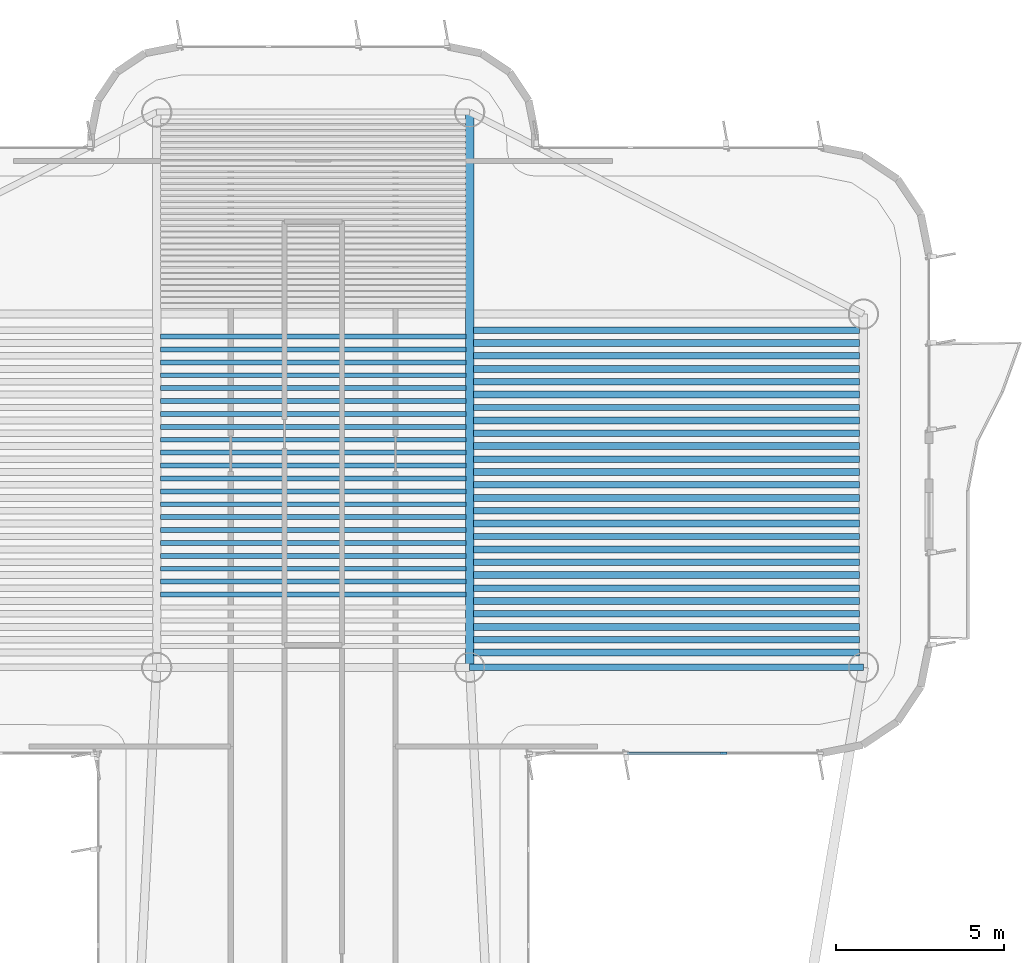
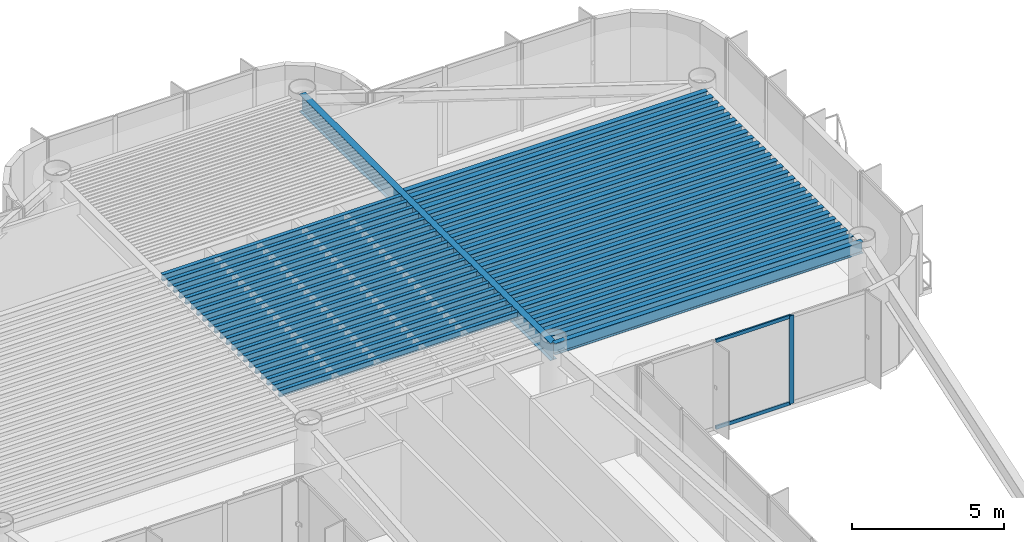
# One storey, part 6 of 14: 49 beams, 3 members, 1 element without a shape of its own.
"""IFC4 building model written with IfcOpenShell, lengths in metres."""

from ifc_helpers import new_model, si_unit, direction, frame, origin, origin_2d, place, context, subcontext, project, spatial, rectangle, i_section, extrude, source, transform, mapped, material, layer, layer_set, material_profile, profile_set, type_object, element, aggregate, save


model = new_model("IFC4")

# Units and contexts
model_context = context("Model", 3, precision=1e-05, world=origin(), true_north=direction((0.0, 1.0)))
body_context = subcontext(model_context, "Body", "Model", "MODEL_VIEW")
ifc_project = project(units=[si_unit("LENGTHUNIT", "METRE"), si_unit("AREAUNIT", "SQUARE_METRE"), si_unit("VOLUMEUNIT", "CUBIC_METRE"), si_unit("PLANEANGLEUNIT", "RADIAN"), si_unit("MASSUNIT", "GRAM", prefix="KILO")], contexts=[model_context])

# Site, building, storey
site_placement = place(None, origin())
site = spatial("IfcSite", under=ifc_project, at=site_placement, CompositionType="ELEMENT")
building_placement = place(site_placement, origin())
building = spatial("IfcBuilding", under=site, at=building_placement, Name="Brelvock Crest Care Tower", CompositionType="ELEMENT")
storey_placement = place(building_placement, frame((0.0, 0.0, 253.260009765625)))
storey = spatial("IfcBuildingStorey", under=building, at=storey_placement, Name="L64", CompositionType="ELEMENT", Elevation=253.260009765625)

# Beams
ifc_material_1 = material(Name="Steel Grade 350", Category="steel")
ifc_material_profile_1 = material_profile(ifc_material_1, i_section(OverallWidth=0.14599609375, OverallDepth=0.256103515625, WebThickness=0.00634765625, FlangeThickness=0.010986328125, FilletRadius=0.0087890625, at=origin_2d()), Name="250UB37.3")
ifc_profile_set_1 = profile_set([ifc_material_profile_1], Name="Steel Grade 350")
beam_type_1 = type_object("IfcBeamType", Name="BM-J3", PredefinedType="JOIST", material=ifc_profile_set_1)
shared_shape_1 = source(origin(), body_context, "Body", "SweptSolid", [
    extrude(i_section(OverallWidth=0.14599609375, OverallDepth=0.256103515625, WebThickness=0.00634765625, FlangeThickness=0.010986328125, FilletRadius=0.0087890625, at=origin_2d()), origin(), (0.0, 0.0, 1.0), 9.06982421875),
])
for number, where, z_axis, x_axis, name in (
    (1, (31.465087890625, 46.115478515625, 3.402099609375), (1.0, 0.0, 0.0), (0.0, 1.0, 0.0), "BM-JH-L64-5"),
    (2, (31.465087890625, 46.498779296875, 3.402099609375), (1.0, 0.0, 0.0), (0.0, 1.0, 0.0), "BM-JH-L64-6"),
    (3, (31.465087890625, 46.882080078125, 3.402099609375), (1.0, 0.0, 0.0), (0.0, 1.0, 0.0), "BM-JH-L64-7"),
    (4, (31.465087890625, 47.265380859375, 3.402099609375), (1.0, 0.0, 0.0), (0.0, 1.0, 0.0), "BM-JH-L64-8"),
    (5, (31.465087890625, 47.648681640625, 3.402099609375), (1.0, 0.0, 0.0), (0.0, 1.0, 0.0), "BM-JH-L64-9"),
    (6, (31.465087890625, 48.031982421875, 3.402099609375), (1.0, 0.0, 0.0), (0.0, 1.0, 0.0), "BM-JH-L64-10"),
    (7, (31.465087890625, 48.4150390625, 3.402099609375), (1.0, 0.0, 0.0), (0.0, 1.0, 0.0), "BM-JH-L64-11"),
    (8, (31.465087890625, 48.79833984375, 3.402099609375), (1.0, 0.0, 0.0), (0.0, 1.0, 0.0), "BM-JH-L64-12"),
    (9, (31.465087890625, 49.181640625, 3.402099609375), (1.0, 0.0, 0.0), (0.0, 1.0, 0.0), "BM-JH-L64-13"),
    (10, (31.465087890625, 49.564697265625, 3.402099609375), (1.0, 0.0, 0.0), (0.0, 1.0, 0.0), "BM-JH-L64-14"),
    (11, (31.465087890625, 49.947998046875, 3.402099609375), (1.0, 0.0, 0.0), (0.0, 1.0, 0.0), "BM-JH-L64-15"),
    (12, (31.465087890625, 50.331298828125, 3.402099609375), (1.0, 0.0, 0.0), (0.0, 1.0, 0.0), "BM-JH-L64-16"),
    (13, (31.465087890625, 50.714599609375, 3.402099609375), (1.0, 0.0, 0.0), (0.0, 1.0, 0.0), "BM-JH-L64-17"),
    (14, (31.465087890625, 51.097900390625, 3.402099609375), (1.0, 0.0, 0.0), (0.0, 1.0, 0.0), "BM-JH-L64-18"),
    (15, (31.465087890625, 51.481201171875, 3.402099609375), (1.0, 0.0, 0.0), (0.0, 1.0, 0.0), "BM-JH-L64-19"),
    (16, (31.465087890625, 51.864501953125, 3.402099609375), (1.0, 0.0, 0.0), (0.0, 1.0, 0.0), "BM-JH-L64-20"),
    (17, (31.465087890625, 52.24755859375, 3.402099609375), (1.0, 0.0, 0.0), (0.0, 1.0, 0.0), "BM-JH-L64-21"),
    (18, (31.465087890625, 52.630859375, 3.402099609375), (1.0, 0.0, 0.0), (0.0, 1.0, 0.0), "BM-JH-L64-22"),
    (19, (31.465087890625, 53.01416015625, 3.402099609375), (1.0, 0.0, 0.0), (0.0, 1.0, 0.0), "BM-JH-L64-23"),
    (20, (31.465087890625, 53.3974609375, 3.402099609375), (1.0, 0.0, 0.0), (0.0, 1.0, 0.0), "BM-JH-L64-24"),
    (21, (31.465087890625, 53.780517578125, 3.402099609375), (1.0, 0.0, 0.0), (0.0, 1.0, 0.0), "BM-JH-L64-25"),
):
    element("IfcBeam", number, at=place(storey_placement, frame(where, z_axis=z_axis, x_axis=x_axis)), inside=storey, type_object=beam_type_1, Name=name, PredefinedType="JOIST", context=body_context, shape_type="MappedRepresentation", body=[
        mapped(shared_shape_1, transform((0.0, 0.0, 0.0), x_axis=(1.0, 0.0, 0.0), y_axis=(0.0, 1.0, 0.0), z_axis=(0.0, 0.0, 1.0), scale=1.0)),
    ])
ifc_material_profile_2 = material_profile(ifc_material_1, i_section(OverallWidth=0.19091796875, OverallDepth=0.4599609375, WebThickness=0.010009765625, FlangeThickness=0.01611328125, FilletRadius=0.011474609375, at=origin_2d()), Name="460UB82.1")
ifc_profile_set_2 = profile_set([ifc_material_profile_2], Name="Steel Grade 350")
beam_type_2 = type_object("IfcBeamType", Name="BM-G3", PredefinedType="BEAM", material=ifc_profile_set_2)
shared_shape_2 = source(origin(), body_context, "Body", "SweptSolid", [
    extrude(i_section(OverallWidth=0.19091796875, OverallDepth=0.4599609375, WebThickness=0.010009765625, FlangeThickness=0.01611328125, FilletRadius=0.011474609375, at=origin_2d()), origin(), (0.0, 0.0, 1.0), 11.47021484375),
])
for number, where, z_axis, x_axis, name in (
    (22, (40.764892578125, 44.7744140625, 3.300048828125), (1.0, 0.0, 0.0), (0.0, 1.0, 0.0), "BM-JE-L64-2"),
    (23, (40.764892578125, 45.540771484375, 3.300048828125), (1.0, 0.0, 0.0), (0.0, 1.0, 0.0), "BM-JE-L64-4"),
    (24, (40.764892578125, 46.307373046875, 3.300048828125), (1.0, 0.0, 0.0), (0.0, 1.0, 0.0), "BM-JE-L64-6"),
    (25, (40.764892578125, 47.07373046875, 3.300048828125), (1.0, 0.0, 0.0), (0.0, 1.0, 0.0), "BM-JE-L64-8"),
    (26, (40.764892578125, 47.84033203125, 3.300048828125), (1.0, 0.0, 0.0), (0.0, 1.0, 0.0), "BM-JE-L64-10"),
    (27, (40.764892578125, 48.606689453125, 3.300048828125), (1.0, 0.0, 0.0), (0.0, 1.0, 0.0), "BM-JE-L64-12"),
    (28, (40.764892578125, 49.373291015625, 3.300048828125), (1.0, 0.0, 0.0), (0.0, 1.0, 0.0), "BM-JE-L64-14"),
    (29, (40.764892578125, 50.139892578125, 3.300048828125), (1.0, 0.0, 0.0), (0.0, 1.0, 0.0), "BM-JE-L64-16"),
    (30, (40.764892578125, 50.90625, 3.300048828125), (1.0, 0.0, 0.0), (0.0, 1.0, 0.0), "BM-JE-L64-18"),
    (31, (40.764892578125, 51.6728515625, 3.300048828125), (1.0, 0.0, 0.0), (0.0, 1.0, 0.0), "BM-JE-L64-20"),
    (32, (40.764892578125, 52.439208984375, 3.300048828125), (1.0, 0.0, 0.0), (0.0, 1.0, 0.0), "BM-JE-L64-22"),
    (33, (40.764892578125, 53.205810546875, 3.300048828125), (1.0, 0.0, 0.0), (0.0, 1.0, 0.0), "BM-JE-L64-24"),
    (34, (40.764892578125, 53.972412109375, 3.300048828125), (1.0, 0.0, 0.0), (0.0, 1.0, 0.0), "BM-JE-L64-26"),
):
    element("IfcBeam", number, at=place(storey_placement, frame(where, z_axis=z_axis, x_axis=x_axis)), inside=storey, type_object=beam_type_2, Name=name, PredefinedType="BEAM", context=body_context, shape_type="MappedRepresentation", body=[
        mapped(shared_shape_2, transform((0.0, 0.0, 0.0), x_axis=(1.0, 0.0, 0.0), y_axis=(0.0, 1.0, 0.0), z_axis=(0.0, 0.0, 1.0), scale=1.0)),
    ])
ifc_material_profile_3 = material_profile(ifc_material_1, i_section(OverallWidth=0.208984375, OverallDepth=0.532958984375, WebThickness=0.01025390625, FlangeThickness=0.015625, FilletRadius=0.013916015625, at=origin_2d()), Name="530UB92.4")
ifc_profile_set_3 = profile_set([ifc_material_profile_3], Name="Steel Grade 350")
beam_type_3 = type_object("IfcBeamType", Name="BM-G2", PredefinedType="BEAM", material=ifc_profile_set_3)
shared_shape_3 = source(origin(), body_context, "Body", "SweptSolid", [
    extrude(i_section(OverallWidth=0.208984375, OverallDepth=0.532958984375, WebThickness=0.01025390625, FlangeThickness=0.015625, FilletRadius=0.013916015625, at=origin_2d()), origin(), (0.0, 0.0, 1.0), 11.47021484375),
])
for number, where, z_axis, x_axis, name in (
    (35, (40.764892578125, 44.39111328125, 3.263427734375), (1.0, 0.0, 0.0), (0.0, 1.0, 0.0), "BM-JE-L64-1"),
    (36, (40.764892578125, 45.157470703125, 3.263427734375), (1.0, 0.0, 0.0), (0.0, 1.0, 0.0), "BM-JE-L64-3"),
    (37, (40.764892578125, 45.924072265625, 3.263427734375), (1.0, 0.0, 0.0), (0.0, 1.0, 0.0), "BM-JE-L64-5"),
    (38, (40.764892578125, 46.6904296875, 3.263427734375), (1.0, 0.0, 0.0), (0.0, 1.0, 0.0), "BM-JE-L64-7"),
    (39, (40.764892578125, 47.45703125, 3.263427734375), (1.0, 0.0, 0.0), (0.0, 1.0, 0.0), "BM-JE-L64-9"),
    (40, (40.764892578125, 48.223388671875, 3.263427734375), (1.0, 0.0, 0.0), (0.0, 1.0, 0.0), "BM-JE-L64-11"),
    (41, (40.764892578125, 48.989990234375, 3.263427734375), (1.0, 0.0, 0.0), (0.0, 1.0, 0.0), "BM-JE-L64-13"),
    (42, (40.764892578125, 49.756591796875, 3.263427734375), (1.0, 0.0, 0.0), (0.0, 1.0, 0.0), "BM-JE-L64-15"),
    (43, (40.764892578125, 50.52294921875, 3.263427734375), (1.0, 0.0, 0.0), (0.0, 1.0, 0.0), "BM-JE-L64-17"),
    (44, (40.764892578125, 51.28955078125, 3.263427734375), (1.0, 0.0, 0.0), (0.0, 1.0, 0.0), "BM-JE-L64-19"),
    (45, (40.764892578125, 52.055908203125, 3.263427734375), (1.0, 0.0, 0.0), (0.0, 1.0, 0.0), "BM-JE-L64-21"),
    (46, (40.764892578125, 52.822509765625, 3.263427734375), (1.0, 0.0, 0.0), (0.0, 1.0, 0.0), "BM-JE-L64-23"),
    (47, (40.764892578125, 53.589111328125, 3.263427734375), (1.0, 0.0, 0.0), (0.0, 1.0, 0.0), "BM-JE-L64-25"),
):
    element("IfcBeam", number, at=place(storey_placement, frame(where, z_axis=z_axis, x_axis=x_axis)), inside=storey, type_object=beam_type_3, Name=name, PredefinedType="BEAM", context=body_context, shape_type="MappedRepresentation", body=[
        mapped(shared_shape_3, transform((0.0, 0.0, 0.0), x_axis=(1.0, 0.0, 0.0), y_axis=(0.0, 1.0, 0.0), z_axis=(0.0, 0.0, 1.0), scale=1.0)),
    ])
ifc_material_profile_4 = material_profile(ifc_material_1, i_section(OverallWidth=0.19091796875, OverallDepth=0.4599609375, WebThickness=0.010009765625, FlangeThickness=0.01611328125, FilletRadius=0.011474609375, at=origin_2d()), Name="460UB82.1")
ifc_profile_set_4 = profile_set([ifc_material_profile_4], Name="Steel Grade 350")
beam_type_4 = type_object("IfcBeamType", Name="BM-SP2", PredefinedType="SPANDREL", material=ifc_profile_set_4)
shared_shape_4 = source(origin(), body_context, "Body", "SweptSolid", [
    extrude(i_section(OverallWidth=0.19091796875, OverallDepth=0.4599609375, WebThickness=0.010009765625, FlangeThickness=0.01611328125, FilletRadius=0.011474609375, at=origin_2d()), origin(), (0.0, 0.0, 1.0), 11.7001953125),
])
beam_1_placement = place(storey_placement, frame((40.64990234375, 43.949951171875, 3.300048828125), z_axis=(1.0, 0.0, 0.0), x_axis=(0.0, 1.0, 0.0)))
element("IfcBeam", 48, at=beam_1_placement, inside=storey, type_object=beam_type_4, Name="BM-TWR-L64-04", PredefinedType="SPANDREL", context=body_context, shape_type="MappedRepresentation", body=[
    mapped(shared_shape_4, transform((0.0, 0.0, 0.0), x_axis=(1.0, 0.0, 0.0), y_axis=(0.0, 1.0, 0.0), z_axis=(0.0, 0.0, 1.0), scale=1.0)),
])
ifc_material_profile_5 = material_profile(ifc_material_1, i_section(OverallWidth=0.25, OverallDepth=0.699951171875, WebThickness=0.011962890625, FlangeThickness=0.02001953125, at=origin_2d()), Name="700WB150")
ifc_profile_set_5 = profile_set([ifc_material_profile_5], Name="Steel Grade 350")
beam_type_5 = type_object("IfcBeamType", Name="BM-G4", PredefinedType="BEAM", material=ifc_profile_set_5)
shared_shape_5 = source(origin(), body_context, "Body", "SweptSolid", [
    extrude(i_section(OverallWidth=0.25, OverallDepth=0.699951171875, WebThickness=0.011962890625, FlangeThickness=0.02001953125, at=origin_2d()), origin(), (0.0, 0.0, 1.0), 16.5),
])
beam_2_placement = place(storey_placement, frame((40.64990234375, 43.949951171875, 3.179931640625), z_axis=(0.0, 1.0, 0.0), x_axis=(-1.0, 0.0, 0.0)))
element("IfcBeam", 49, at=beam_2_placement, inside=storey, type_object=beam_type_5, Name="BM-TWR-L64-10", PredefinedType="BEAM", context=body_context, shape_type="MappedRepresentation", body=[
    mapped(shared_shape_5, transform((0.0, 0.0, 0.0), x_axis=(1.0, 0.0, 0.0), y_axis=(0.0, 1.0, 0.0), z_axis=(0.0, 0.0, 1.0), scale=1.0)),
])

# Curtain wall, members
ifc_material_2 = material(Name="Dark Glass Double Glazed Low-E", Category="glass")
ifc_layer = layer(ifc_material_2, 0.239990234375, Name="CWS-5")
ifc_layer_set = layer_set([ifc_layer], Name="Dark Glass Double Glazed Low-E")
curtain_wall_type = type_object("IfcCurtainWallType", Name="CWS-5", PredefinedType="NOTDEFINED", material=ifc_layer_set)
curtain_wall_placement = place(storey_placement, origin())
curtain_wall = element("IfcCurtainWall", 50, at=curtain_wall_placement, inside=storey, type_object=curtain_wall_type, Name="L64 Curtain Wall E44", PredefinedType="NOTDEFINED")
ifc_material_3 = material(Name="Aluminium 6063-T6", Category="aluminium")
ifc_material_profile_6 = material_profile(ifc_material_3, rectangle(XDim=0.06005859375, YDim=0.179931640625, at=origin_2d()), Name="ALU60x180")
ifc_profile_set_6 = profile_set([ifc_material_profile_6], Name="Aluminium 6063-T6")
member_type_1 = type_object("IfcMemberType", Name="CWM-2", PredefinedType="MULLION", material=ifc_profile_set_6)
shared_shape_6 = source(origin(), body_context, "Body", "SweptSolid", [
    extrude(rectangle(XDim=0.06005859375, YDim=0.179931640625, at=origin_2d()), origin(), (0.0, 0.0, 1.0), 3.530029296875),
])
member_1_placement = place(storey_placement, frame((48.199951171875, 41.39990234375, 0.0), z_axis=(0.0, 0.0, 1.0), x_axis=(0.0, -1.0, 0.0)))
member_1 = element("IfcMember", 51, at=member_1_placement, type_object=member_type_1, Name="CW-5 mullion 2", PredefinedType="MULLION", context=body_context, shape_type="MappedRepresentation", body=[
    mapped(shared_shape_6, transform((0.0, 0.0, 0.0), x_axis=(1.0, 0.0, 0.0), y_axis=(0.0, 1.0, 0.0), z_axis=(0.0, 0.0, 1.0), scale=1.0)),
])
ifc_material_profile_7 = material_profile(ifc_material_3, rectangle(XDim=0.06005859375, YDim=0.139892578125, at=origin_2d()), Name="ALU60x140")
ifc_profile_set_7 = profile_set([ifc_material_profile_7], Name="Aluminium 6063-T6")
member_type_2 = type_object("IfcMemberType", Name="CWT-2", PredefinedType="USERDEFINED", material=ifc_profile_set_7)
shared_shape_7 = source(origin(), body_context, "Body", "SweptSolid", [
    extrude(rectangle(XDim=0.06005859375, YDim=0.139892578125, at=origin_2d()), origin(), (0.0, 0.0, 1.0), 2.83984375),
])
member_2_placement = place(storey_placement, frame((48.169921875, 41.39990234375, 0.030029296875), z_axis=(-1.0, 0.0, 0.0), x_axis=(0.0, -1.0, 0.0)))
member_2 = element("IfcMember", 52, at=member_2_placement, type_object=member_type_2, Name="CW-5 transom 2.1", ObjectType="TRANSOM", PredefinedType="USERDEFINED", context=body_context, shape_type="MappedRepresentation", body=[
    mapped(shared_shape_7, transform((0.0, 0.0, 0.0), x_axis=(1.0, 0.0, 0.0), y_axis=(0.0, 1.0, 0.0), z_axis=(0.0, 0.0, 1.0), scale=1.0)),
])
member_3_placement = place(storey_placement, frame((48.169921875, 41.39990234375, 3.5), z_axis=(-1.0, 0.0, 0.0), x_axis=(0.0, -1.0, 0.0)))
member_3 = element("IfcMember", 53, at=member_3_placement, type_object=member_type_2, Name="CW-5 transom 2.2", ObjectType="TRANSOM", PredefinedType="USERDEFINED", context=body_context, shape_type="MappedRepresentation", body=[
    mapped(shared_shape_7, transform((0.0, 0.0, 0.0), x_axis=(1.0, 0.0, 0.0), y_axis=(0.0, 1.0, 0.0), z_axis=(0.0, 0.0, 1.0), scale=1.0)),
])
aggregate(curtain_wall, [member_1, member_2, member_3])

save(model, "model.ifc")
